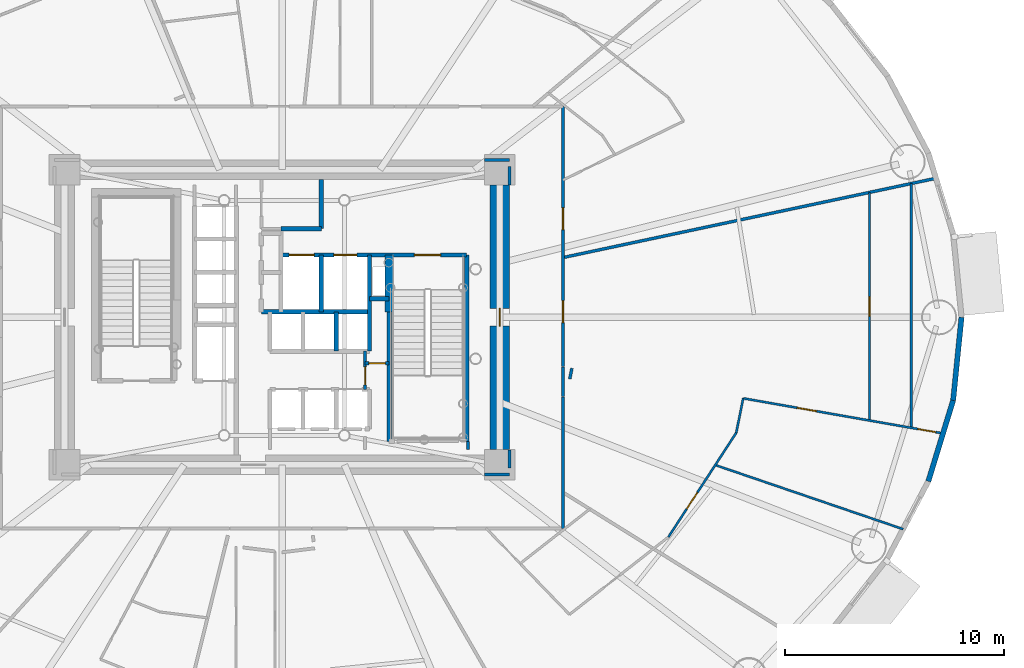
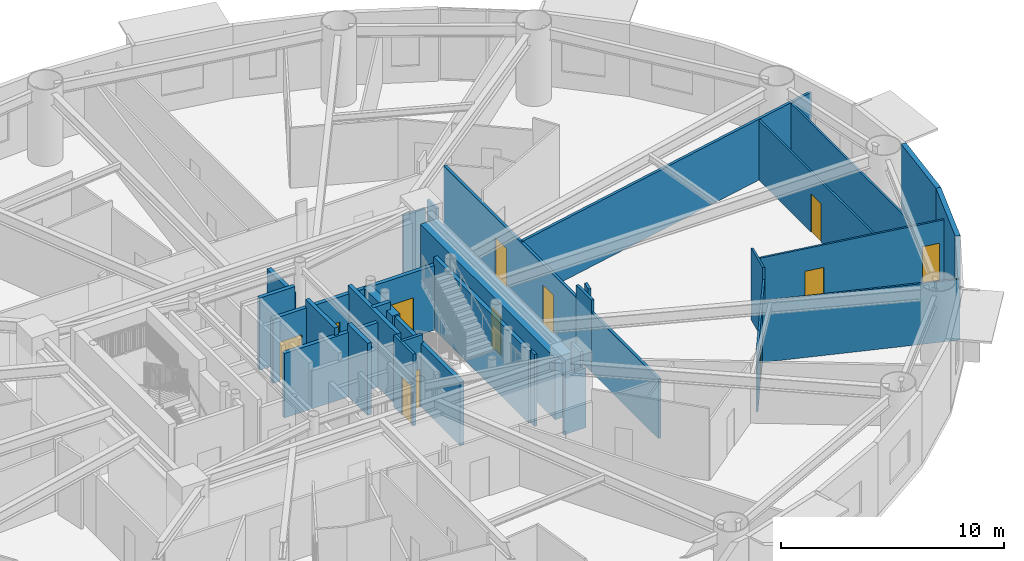
# One storey, part 10 of 20: 32 walls, 12 doors, 12 openings.
"""IFC4 building model written with IfcOpenShell, lengths in metres."""

from ifc_helpers import new_model, si_unit, direction, frame, frame_2d, origin, origin_2d, place, context, subcontext, project, spatial, rectangle, extrude, source, transform, mapped, material, layer, layer_set, type_object, element, fill, save


model = new_model("IFC4")

# Units and contexts
model_context = context("Model", 3, precision=1e-05, world=origin(), true_north=direction((0.0, 1.0)))
body_context = subcontext(model_context, "Body", "Model", "MODEL_VIEW")
ifc_project = project(units=[si_unit("LENGTHUNIT", "METRE"), si_unit("AREAUNIT", "SQUARE_METRE"), si_unit("VOLUMEUNIT", "CUBIC_METRE"), si_unit("PLANEANGLEUNIT", "RADIAN"), si_unit("MASSUNIT", "GRAM", prefix="KILO")], contexts=[model_context])

# Site, building, storey
site_placement = place(None, origin())
site = spatial("IfcSite", under=ifc_project, at=site_placement, CompositionType="ELEMENT")
building_placement = place(site_placement, origin())
building = spatial("IfcBuilding", under=site, at=building_placement, Name="Linh Dai School and Residence Tower", CompositionType="ELEMENT")
storey_placement = place(building_placement, frame((0.0, 0.0, 66.0)))
storey = spatial("IfcBuildingStorey", under=building, at=storey_placement, Name="L15", CompositionType="ELEMENT", Elevation=66.0)

# Walls
ifc_material_1 = material(Name="Precast Concrete B45 (C35/45)", Category="concrete")
ifc_layer_1 = layer(ifc_material_1, 0.239990234375)
ifc_layer_set_1 = layer_set([ifc_layer_1], Name="Precast Concrete B45 (C35/45)")
wall_type_1 = type_object("IfcWallType", Name="EW-TC-240", PredefinedType="SOLIDWALL", material=ifc_layer_set_1)
wall_1_placement = place(storey_placement, frame((66.693359375, 23.203125, 0.0), z_axis=(0.0, 0.0, 1.0), x_axis=(-0.293111631758, -0.956078224482, 0.0)))
element("IfcWall", 1, at=wall_1_placement, inside=storey, type_object=wall_type_1, Name="L15 Terracotta Exterior Wall 39", PredefinedType="SOLIDWALL", context=body_context, shape_type="SweptSolid", body=[
    extrude(rectangle(XDim=3.874755859375, YDim=0.239990234375, at=frame_2d((1.9375, 0.0))), origin(), (0.0, 0.0, 1.0), 3.949951171875),
])
wall_2_placement = place(storey_placement, frame((67.074951171875, 27.0, 0.0), z_axis=(0.0, 0.0, 1.0), x_axis=(-0.099997795174, -0.994987658698, 0.0)))
element("IfcWall", 2, at=wall_2_placement, inside=storey, type_object=wall_type_1, Name="L15 Terracotta Exterior Wall 40", PredefinedType="SOLIDWALL", context=body_context, shape_type="SweptSolid", body=[
    extrude(rectangle(XDim=3.81591796875, YDim=0.239990234375, at=frame_2d((1.907958984375, 0.0))), origin(), (0.0, 0.0, 1.0), 3.949951171875),
])

# Wall, opening, door
ifc_material_2 = material(Name="Autoclaved Aerated Concrete Blockwork", Category="masonry")
ifc_layer_2 = layer(ifc_material_2, 0.135009765625)
ifc_layer_set_2 = layer_set([ifc_layer_2], Name="Autoclaved Aerated Concrete Blockwork")
wall_type_2 = type_object("IfcWallType", Name="IW-CORR-135-EI90", PredefinedType="PARTITIONING", material=ifc_layer_set_2)
wall_3_placement = place(storey_placement, frame((39.800048828125, 23.699951171875, 0.0), z_axis=(0.0, 0.0, 1.0), x_axis=(0.0, 1.0, 0.0)))
wall_3 = element("IfcWall", 3, at=wall_3_placement, inside=storey, type_object=wall_type_2, Name="L15 Interior Partition Wall 072", PredefinedType="PARTITIONING", context=body_context, shape_type="SweptSolid", body=[
    extrude(rectangle(XDim=1.75, YDim=0.135009765625, at=frame_2d((0.875, 0.0))), origin(), (0.0, 0.0, 1.0), 3.949951171875),
])
opening_1_placement = place(wall_3_placement, frame((0.2099609375, 0.0, 0.0)))
opening_1 = element("IfcOpeningElement", 4, at=opening_1_placement, cuts=wall_3, Name="Opening D06", PredefinedType="OPENING", context=body_context, shape_type="SweptSolid", body=[
    extrude(rectangle(XDim=0.820068359375, YDim=2.10009765625, at=origin_2d()), frame((0.41015625, 0.07763671875, 1.050048828125), z_axis=(0.0, -1.0, 0.0), x_axis=(1.0, 0.0, 0.0)), (0.0, 0.0, 1.0), 0.155029296875),
])
ifc_material_3 = material(Name="Moisture-Resistant Timber Bathroom Door", Category="wood")
door_type_1 = type_object("IfcDoorType", Name="DR-WET-820x2100", OperationType="NOTDEFINED", PredefinedType="DOOR", material=ifc_material_3)
shared_shape_1 = source(origin(), body_context, "Body", "SweptSolid", [
    extrude(rectangle(XDim=0.820068359375, YDim=2.10009765625, at=origin_2d()), frame((0.41015625, 0.02490234375, 1.050048828125), z_axis=(0.0, -1.0, 0.0), x_axis=(1.0, 0.0, 0.0)), (0.0, 0.0, 1.0), 0.050048828125),
])
door_1_placement = place(opening_1_placement, origin())
door_1 = element("IfcDoor", 5, at=door_1_placement, inside=storey, type_object=door_type_1, Name="L15 SE Electrical Closet Door", OperationType="SINGLE_SWING_LEFT", OverallHeight=2.10009765625, OverallWidth=0.820068359375, PredefinedType="DOOR", context=body_context, shape_type="MappedRepresentation", body=[
    mapped(shared_shape_1, transform((0.0, 0.0, 0.0), x_axis=(1.0, 0.0, 0.0), y_axis=(0.0, 1.0, 0.0), z_axis=(0.0, 0.0, 1.0), scale=1.0)),
])
fill(opening_1, door_1)

# Wall
wall_4_placement = place(storey_placement, frame((48.85009765625, 17.35009765625, 0.0), z_axis=(0.0, 0.0, 1.0), x_axis=(0.0, 1.0, 0.0)))
element("IfcWall", 6, at=wall_4_placement, inside=storey, type_object=wall_type_2, Name="L15 Interior Partition Wall 092", PredefinedType="PARTITIONING", context=body_context, shape_type="SweptSolid", body=[
    extrude(rectangle(XDim=6.011474609375, YDim=0.135009765625, at=frame_2d((3.005859375, 0.0))), origin(), (0.0, 0.0, 1.0), 3.284912109375),
])

# Wall, openings, doors
wall_5_placement = place(storey_placement, frame((48.85009765625, 24.741943359375, 0.0), z_axis=(0.0, 0.0, 1.0), x_axis=(0.0, 1.0, 0.0)))
wall_5 = element("IfcWall", 7, at=wall_5_placement, inside=storey, type_object=wall_type_2, Name="L15 Interior Partition Wall 094", PredefinedType="PARTITIONING", context=body_context, shape_type="SweptSolid", body=[
    extrude(rectangle(XDim=11.907958984375, YDim=0.135009765625, at=frame_2d((5.9541015625, 0.0))), origin(), (0.0, 0.0, 1.0), 3.284912109375),
])
opening_2_placement = place(wall_5_placement, frame((6.261962890625, 0.0, 0.0)))
opening_2 = element("IfcOpeningElement", 8, at=opening_2_placement, cuts=wall_5, Name="Opening D03", PredefinedType="OPENING", context=body_context, shape_type="SweptSolid", body=[
    extrude(rectangle(XDim=1.0, YDim=2.14990234375, at=origin_2d()), frame((0.5, 0.07763671875, 1.074951171875), z_axis=(0.0, -1.0, 0.0), x_axis=(1.0, 0.0, 0.0)), (0.0, 0.0, 1.0), 0.155029296875),
])
opening_3_placement = place(wall_5_placement, frame((2.0146484375, 0.0, 0.0)))
opening_3 = element("IfcOpeningElement", 9, at=opening_3_placement, cuts=wall_5, Name="Opening D03", PredefinedType="OPENING", context=body_context, shape_type="SweptSolid", body=[
    extrude(rectangle(XDim=1.0, YDim=2.14990234375, at=origin_2d()), frame((0.5, 0.07763671875, 1.074951171875), z_axis=(0.0, -1.0, 0.0), x_axis=(1.0, 0.0, 0.0)), (0.0, 0.0, 1.0), 0.155029296875),
])
ifc_material_4 = material(Name="Fire-Rated Solid Timber Entrance Door", Category="wood")
door_type_2 = type_object("IfcDoorType", Name="DR-FLAT-1000x2150-FD60S", OperationType="NOTDEFINED", PredefinedType="DOOR", material=ifc_material_4)
shared_shape_2 = source(origin(), body_context, "Body", "SweptSolid", [
    extrude(rectangle(XDim=1.0, YDim=2.14990234375, at=origin_2d()), frame((0.5, 0.02490234375, 1.074951171875), z_axis=(0.0, -1.0, 0.0), x_axis=(1.0, 0.0, 0.0)), (0.0, 0.0, 1.0), 0.050048828125),
])
door_2_placement = place(opening_2_placement, origin())
door_2 = element("IfcDoor", 10, at=door_2_placement, inside=storey, type_object=door_type_2, Name="L15 U1501 Apartment Entrance Door", OperationType="SINGLE_SWING_LEFT", OverallHeight=2.14990234375, OverallWidth=1.0, PredefinedType="DOOR", context=body_context, shape_type="MappedRepresentation", body=[
    mapped(shared_shape_2, transform((0.0, 0.0, 0.0), x_axis=(1.0, 0.0, 0.0), y_axis=(0.0, 1.0, 0.0), z_axis=(0.0, 0.0, 1.0), scale=1.0)),
])
fill(opening_2, door_2)
door_3_placement = place(opening_3_placement, origin())
door_3 = element("IfcDoor", 11, at=door_3_placement, inside=storey, type_object=door_type_2, Name="L15 U1510 Apartment Entrance Door", OperationType="SINGLE_SWING_LEFT", OverallHeight=2.14990234375, OverallWidth=1.0, PredefinedType="DOOR", context=body_context, shape_type="MappedRepresentation", body=[
    mapped(shared_shape_2, transform((0.0, 0.0, 0.0), x_axis=(1.0, 0.0, 0.0), y_axis=(0.0, 1.0, 0.0), z_axis=(0.0, 0.0, 1.0), scale=1.0)),
])
fill(opening_3, door_3)

# Walls
wall_6_placement = place(storey_placement, frame((48.85009765625, 29.7314453125, 0.0), z_axis=(0.0, 0.0, 1.0), x_axis=(0.97814985104, 0.207901103679, 0.0)))
element("IfcWall", 12, at=wall_6_placement, inside=storey, type_object=wall_type_2, Name="L15 Interior Partition Wall 095", PredefinedType="PARTITIONING", context=body_context, shape_type="SweptSolid", body=[
    extrude(rectangle(XDim=17.4443359375, YDim=0.135009765625, at=frame_2d((8.72216796875, 0.0))), origin(), (0.0, 0.0, 1.0), 3.3349609375),
])
wall_7_placement = place(storey_placement, frame((44.5, 20.9599609375, 0.0), z_axis=(0.0, 0.0, 1.0), x_axis=(0.0, 1.0, 0.0)))
element("IfcWall", 13, at=wall_7_placement, inside=storey, type_object=wall_type_2, Name="L15 Interior Partition Wall 113", PredefinedType="PARTITIONING", context=body_context, shape_type="SweptSolid", body=[
    extrude(rectangle(XDim=0.360107421875, YDim=0.135009765625, at=frame_2d((0.18017578125, 0.0))), origin(), (0.0, 0.0, 1.0), 3.949951171875),
])
wall_8_placement = place(storey_placement, frame((48.85009765625, 24.73193359375, 0.0), z_axis=(0.0, 0.0, 1.0), x_axis=(0.0, -1.0, 0.0)))
element("IfcWall", 14, at=wall_8_placement, inside=storey, type_object=wall_type_2, Name="L15 Interior Partition Wall 118", PredefinedType="PARTITIONING", context=body_context, shape_type="SweptSolid", body=[
    extrude(rectangle(XDim=1.3603515625, YDim=0.135009765625, at=frame_2d((0.68017578125, 0.0))), origin(), (0.0, 0.0, 1.0), 3.949951171875),
])
for number, where, z_axis, x_axis, name in (
    (15, (46.39990234375, 34.199951171875, 0.0), (0.0, 0.0, 1.0), (-1.0, 0.0, 0.0), "L15 Interior Partition Wall 121"),
    (16, (45.260009765625, 19.800048828125, 0.0), (0.0, 0.0, 1.0), (1.0, 0.0, 0.0), "L15 Interior Partition Wall 126"),
):
    element("IfcWall", number, at=place(storey_placement, frame(where, z_axis=z_axis, x_axis=x_axis)), inside=storey, type_object=wall_type_2, Name=name, PredefinedType="PARTITIONING", context=body_context, shape_type="SweptSolid", body=[
        extrude(rectangle(XDim=1.139892578125, YDim=0.135009765625, at=frame_2d((0.56982421875, 0.0))), origin(), (0.0, 0.0, 1.0), 3.284912109375),
    ])
for number, where, z_axis, x_axis, name in (
    (17, (46.39990234375, 20.107421875, 0.0), (0.0, 0.0, 1.0), (0.0, 1.0, 0.0), "L15 Interior Partition Wall 127"),
    (18, (46.39990234375, 33.06005859375, 0.0), (0.0, 0.0, 1.0), (0.0, 1.0, 0.0), "L15 Interior Partition Wall 128"),
):
    element("IfcWall", number, at=place(storey_placement, frame(where, z_axis=z_axis, x_axis=x_axis)), inside=storey, type_object=wall_type_2, Name=name, PredefinedType="PARTITIONING", context=body_context, shape_type="SweptSolid", body=[
        extrude(rectangle(XDim=0.83251953125, YDim=0.135009765625, at=frame_2d((0.416259765625, 0.0))), origin(), (0.0, 0.0, 1.0), 3.949951171875),
    ])
wall_9_placement = place(storey_placement, frame((49.157470703125, 24.1796875, 0.0), z_axis=(0.0, 0.0, 1.0), x_axis=(0.198365081381, 0.980128203088, 0.0)))
element("IfcWall", 19, at=wall_9_placement, inside=storey, type_object=wall_type_2, Name="L15 Interior Partition Wall 137", PredefinedType="PARTITIONING", context=body_context, shape_type="SweptSolid", body=[
    extrude(rectangle(XDim=0.5009765625, YDim=0.135009765625, at=frame_2d((0.25048828125, 0.0))), origin(), (0.0, 0.0, 1.0), 3.949951171875),
])

# Wall, opening, door
ifc_layer_3 = layer(ifc_material_2, 0.14990234375)
ifc_layer_set_3 = layer_set([ifc_layer_3], Name="Autoclaved Aerated Concrete Blockwork")
wall_type_3 = type_object("IfcWallType", Name="IW-SCH-150-EI60", PredefinedType="PARTITIONING", material=ifc_layer_set_3)
wall_10_placement = place(storey_placement, frame((39.800048828125, 24.89990234375, 0.0), z_axis=(0.0, 0.0, 1.0), x_axis=(1.0, 0.0, 0.0)))
wall_10 = element("IfcWall", 20, at=wall_10_placement, inside=storey, type_object=wall_type_3, Name="L15 Interior Partition Wall 073", PredefinedType="PARTITIONING", context=body_context, shape_type="SweptSolid", body=[
    extrude(rectangle(XDim=1.099853515625, YDim=0.14990234375, at=frame_2d((0.5498046875, 0.0))), origin(), (0.0, 0.0, 1.0), 3.949951171875),
])
opening_4_placement = place(wall_10_placement, frame((0.169921875, 0.0, 0.0)))
opening_4 = element("IfcOpeningElement", 21, at=opening_4_placement, cuts=wall_10, Name="Opening D08", PredefinedType="OPENING", context=body_context, shape_type="SweptSolid", body=[
    extrude(rectangle(XDim=0.760009765625, YDim=2.10009765625, at=origin_2d()), frame((0.3798828125, 0.0849609375, 1.050048828125), z_axis=(0.0, -1.0, 0.0), x_axis=(1.0, 0.0, 0.0)), (0.0, 0.0, 1.0), 0.169921875),
])
ifc_material_5 = material(Name="Engineered Timber Closet and Study Door", Category="wood")
door_type_3 = type_object("IfcDoorType", Name="DR-CMP-760x2100", OperationType="NOTDEFINED", PredefinedType="DOOR", material=ifc_material_5)
shared_shape_3 = source(origin(), body_context, "Body", "SweptSolid", [
    extrude(rectangle(XDim=0.760009765625, YDim=2.10009765625, at=origin_2d()), frame((0.3798828125, 0.02490234375, 1.050048828125), z_axis=(0.0, -1.0, 0.0), x_axis=(1.0, 0.0, 0.0)), (0.0, 0.0, 1.0), 0.050048828125),
])
door_4_placement = place(opening_4_placement, origin())
door_4 = element("IfcDoor", 22, at=door_4_placement, inside=storey, type_object=door_type_3, Name="L15 NE Equipment Store Door", OperationType="SINGLE_SWING_RIGHT", OverallHeight=2.10009765625, OverallWidth=0.760009765625, PredefinedType="DOOR", context=body_context, shape_type="MappedRepresentation", body=[
    mapped(shared_shape_3, transform((0.0, 0.0, 0.0), x_axis=(1.0, 0.0, 0.0), y_axis=(0.0, 1.0, 0.0), z_axis=(0.0, 0.0, 1.0), scale=1.0)),
])
fill(opening_4, door_4)

# Wall
ifc_material_6 = material(Name="Concrete B45 (C35/45)", Category="concrete")
ifc_layer_4 = layer(ifc_material_6, 0.199951171875)
ifc_layer_set_4 = layer_set([ifc_layer_4], Name="Concrete B45 (C35/45)")
wall_type_4 = type_object("IfcWallType", Name="IW-SHAFT-200-EI120", PredefinedType="PARTITIONING", material=ifc_layer_set_4)
wall_11_placement = place(storey_placement, frame((35.050048828125, 27.25, 0.0), z_axis=(0.0, 0.0, 1.0), x_axis=(1.0, 0.0, 0.0)))
element("IfcWall", 23, at=wall_11_placement, inside=storey, type_object=wall_type_4, Name="L15 Interior Partition Wall 047", PredefinedType="PARTITIONING", context=body_context, shape_type="SweptSolid", body=[
    extrude(rectangle(XDim=4.949951171875, YDim=0.199951171875, at=frame_2d((2.47509765625, 0.0))), origin(), (0.0, 0.0, 1.0), 3.534912109375),
])

# Wall, openings, doors
wall_12_placement = place(storey_placement, frame((35.949951171875, 29.85009765625, 0.0), z_axis=(0.0, 0.0, 1.0), x_axis=(1.0, 0.0, 0.0)))
wall_12 = element("IfcWall", 24, at=wall_12_placement, inside=storey, type_object=wall_type_4, Name="L15 Interior Partition Wall 058", PredefinedType="PARTITIONING", context=body_context, shape_type="SweptSolid", body=[
    extrude(rectangle(XDim=8.489990234375, YDim=0.199951171875, at=frame_2d((4.2451171875, 0.0))), origin(), (0.0, 0.0, 1.0), 3.534912109375),
])
opening_5_placement = place(wall_12_placement, frame((6.10009765625, 0.0, 0.0)))
opening_5 = element("IfcOpeningElement", 25, at=opening_5_placement, cuts=wall_12, Name="Opening D01", PredefinedType="OPENING", context=body_context, shape_type="SweptSolid", body=[
    extrude(rectangle(XDim=1.199951171875, YDim=2.14990234375, at=origin_2d()), frame((0.60009765625, 0.10986328125, 1.074951171875), z_axis=(0.0, -1.0, 0.0), x_axis=(1.0, 0.0, 0.0)), (0.0, 0.0, 1.0), 0.219970703125),
])
opening_6_placement = place(wall_12_placement, frame((0.3701171875, 0.0, 0.0)))
opening_6 = element("IfcOpeningElement", 26, at=opening_6_placement, cuts=wall_12, Name="Opening LD-FF1", PredefinedType="OPENING", context=body_context, shape_type="SweptSolid", body=[
    extrude(rectangle(XDim=1.14990234375, YDim=2.14990234375, at=origin_2d()), frame((0.574951171875, 0.10986328125, 1.074951171875), z_axis=(0.0, -1.0, 0.0), x_axis=(1.0, 0.0, 0.0)), (0.0, 0.0, 1.0), 0.219970703125),
])
opening_7_placement = place(wall_12_placement, frame((2.425048828125, 0.0, 0.0)))
opening_7 = element("IfcOpeningElement", 27, at=opening_7_placement, cuts=wall_12, Name="Opening LD-SV1", PredefinedType="OPENING", context=body_context, shape_type="SweptSolid", body=[
    extrude(rectangle(XDim=1.050048828125, YDim=2.14990234375, at=origin_2d()), frame((0.52490234375, 0.10986328125, 1.074951171875), z_axis=(0.0, -1.0, 0.0), x_axis=(1.0, 0.0, 0.0)), (0.0, 0.0, 1.0), 0.219970703125),
])
ifc_material_7 = material(Name="Fire-Rated Steel Door Leaf", Category="steel")
door_type_4 = type_object("IfcDoorType", Name="DR-STAIR-1200x2150-FD90S", OperationType="NOTDEFINED", PredefinedType="DOOR", material=ifc_material_7)
shared_shape_4 = source(origin(), body_context, "Body", "SweptSolid", [
    extrude(rectangle(XDim=1.199951171875, YDim=2.14990234375, at=origin_2d()), frame((0.60009765625, 0.02490234375, 1.074951171875), z_axis=(0.0, -1.0, 0.0), x_axis=(1.0, 0.0, 0.0)), (0.0, 0.0, 1.0), 0.050048828125),
])
door_5_placement = place(opening_5_placement, origin())
door_5 = element("IfcDoor", 28, at=door_5_placement, inside=storey, type_object=door_type_4, Name="L15 Core Smokeproof Exit Stair ST2 Door", OperationType="SINGLE_SWING_RIGHT", OverallHeight=2.14990234375, OverallWidth=1.199951171875, PredefinedType="DOOR", context=body_context, shape_type="MappedRepresentation", body=[
    mapped(shared_shape_4, transform((0.0, 0.0, 0.0), x_axis=(1.0, 0.0, 0.0), y_axis=(0.0, 1.0, 0.0), z_axis=(0.0, 0.0, 1.0), scale=1.0)),
])
fill(opening_5, door_5)
ifc_material_8 = material(Name="Fire-Rated Stainless Steel Firefighting Lift Door", Category="steel")
door_type_5 = type_object("IfcDoorType", Name="DR-LD-FF-1150x2150-FD120", OperationType="DOUBLE_DOOR_SLIDING", PredefinedType="USERDEFINED", material=ifc_material_8)
shared_shape_5 = source(origin(), body_context, "Body", "SweptSolid", [
    extrude(rectangle(XDim=1.14990234375, YDim=2.14990234375, at=origin_2d()), frame((0.574951171875, 0.02490234375, 1.074951171875), z_axis=(0.0, -1.0, 0.0), x_axis=(1.0, 0.0, 0.0)), (0.0, 0.0, 1.0), 0.050048828125),
])
door_6_placement = place(opening_6_placement, origin())
door_6 = element("IfcDoor", 29, at=door_6_placement, inside=storey, type_object=door_type_5, Name="L15 Lift FF1 Sliding Landing Door", ObjectType="LANDING DOOR", OperationType="DOUBLE_DOOR_SLIDING", OverallHeight=2.14990234375, OverallWidth=1.14990234375, PredefinedType="USERDEFINED", context=body_context, shape_type="MappedRepresentation", body=[
    mapped(shared_shape_5, transform((0.0, 0.0, 0.0), x_axis=(1.0, 0.0, 0.0), y_axis=(0.0, 1.0, 0.0), z_axis=(0.0, 0.0, 1.0), scale=1.0)),
])
fill(opening_6, door_6)
ifc_material_9 = material(Name="Brushed Stainless Steel Lift Landing Door", Category="steel")
door_type_6 = type_object("IfcDoorType", Name="DR-LD-PASS-1050x2150", OperationType="DOUBLE_DOOR_SLIDING", PredefinedType="USERDEFINED", material=ifc_material_9)
shared_shape_6 = source(origin(), body_context, "Body", "SweptSolid", [
    extrude(rectangle(XDim=1.050048828125, YDim=2.14990234375, at=origin_2d()), frame((0.52490234375, 0.02490234375, 1.074951171875), z_axis=(0.0, -1.0, 0.0), x_axis=(1.0, 0.0, 0.0)), (0.0, 0.0, 1.0), 0.050048828125),
])
door_7_placement = place(opening_7_placement, origin())
door_7 = element("IfcDoor", 30, at=door_7_placement, inside=storey, type_object=door_type_6, Name="L15 Lift SV1 Sliding Landing Door", ObjectType="LANDING DOOR", OperationType="DOUBLE_DOOR_SLIDING", OverallHeight=2.14990234375, OverallWidth=1.050048828125, PredefinedType="USERDEFINED", context=body_context, shape_type="MappedRepresentation", body=[
    mapped(shared_shape_6, transform((0.0, 0.0, 0.0), x_axis=(1.0, 0.0, 0.0), y_axis=(0.0, 1.0, 0.0), z_axis=(0.0, 0.0, 1.0), scale=1.0)),
])
fill(opening_7, door_7)

# Walls
wall_13_placement = place(storey_placement, frame((35.9599609375, 31.050048828125, 0.0), z_axis=(0.0, 0.0, 1.0), x_axis=(1.0, 0.0, 0.0)))
element("IfcWall", 31, at=wall_13_placement, inside=storey, type_object=wall_type_4, Name="L15 Interior Partition Wall 059", PredefinedType="PARTITIONING", context=body_context, shape_type="SweptSolid", body=[
    extrude(rectangle(XDim=1.840087890625, YDim=0.199951171875, at=frame_2d((0.919921875, 0.0))), origin(), (0.0, 0.0, 1.0), 3.949951171875),
])
wall_14_placement = place(storey_placement, frame((37.800048828125, 27.25, 0.0), z_axis=(0.0, 0.0, 1.0), x_axis=(0.0, 1.0, 0.0)))
element("IfcWall", 32, at=wall_14_placement, inside=storey, type_object=wall_type_4, Name="L15 Interior Partition Wall 065", PredefinedType="PARTITIONING", context=body_context, shape_type="SweptSolid", body=[
    extrude(rectangle(XDim=2.60009765625, YDim=0.199951171875, at=frame_2d((1.300048828125, 0.0))), origin(), (0.0, 0.0, 1.0), 3.949951171875),
])
wall_15_placement = place(storey_placement, frame((37.800048828125, 31.050048828125, 0.0), z_axis=(0.0, 0.0, 1.0), x_axis=(0.0, 1.0, 0.0)))
element("IfcWall", 33, at=wall_15_placement, inside=storey, type_object=wall_type_4, Name="L15 Interior Partition Wall 066", PredefinedType="PARTITIONING", context=body_context, shape_type="SweptSolid", body=[
    extrude(rectangle(XDim=2.25, YDim=0.199951171875, at=frame_2d((1.125, 0.0))), origin(), (0.0, 0.0, 1.0), 3.534912109375),
])
wall_16_placement = place(storey_placement, frame((38.47998046875, 25.449951171875, 0.0), z_axis=(0.0, 0.0, 1.0), x_axis=(0.0, 1.0, 0.0)))
element("IfcWall", 34, at=wall_16_placement, inside=storey, type_object=wall_type_4, Name="L15 Interior Partition Wall 069", PredefinedType="PARTITIONING", context=body_context, shape_type="SweptSolid", body=[
    extrude(rectangle(XDim=1.800048828125, YDim=0.199951171875, at=frame_2d((0.89990234375, 0.0))), origin(), (0.0, 0.0, 1.0), 3.949951171875),
])
wall_17_placement = place(storey_placement, frame((40.0, 25.449951171875, 0.0), z_axis=(0.0, 0.0, 1.0), x_axis=(0.0, 1.0, 0.0)))
element("IfcWall", 35, at=wall_17_placement, inside=storey, type_object=wall_type_4, Name="L15 Interior Partition Wall 075", PredefinedType="PARTITIONING", context=body_context, shape_type="SweptSolid", body=[
    extrude(rectangle(XDim=4.400146484375, YDim=0.199951171875, at=frame_2d((2.2001953125, 0.0))), origin(), (0.0, 0.0, 1.0), 3.949951171875),
])
wall_18_placement = place(storey_placement, frame((40.0, 27.85009765625, 0.0), z_axis=(0.0, 0.0, 1.0), x_axis=(1.0, 0.0, 0.0)))
element("IfcWall", 36, at=wall_18_placement, inside=storey, type_object=wall_type_4, Name="L15 Interior Partition Wall 076", PredefinedType="PARTITIONING", context=body_context, shape_type="SweptSolid", body=[
    extrude(rectangle(XDim=0.89990234375, YDim=0.199951171875, at=frame_2d((0.449951171875, 0.0))), origin(), (0.0, 0.0, 1.0), 3.949951171875),
])
wall_19_placement = place(storey_placement, frame((40.89990234375, 21.330078125, 0.0), z_axis=(0.0, 0.0, 1.0), x_axis=(0.0, 1.0, 0.0)))
element("IfcWall", 37, at=wall_19_placement, inside=storey, type_object=wall_type_4, Name="L15 Interior Partition Wall 078", PredefinedType="PARTITIONING", context=body_context, shape_type="SweptSolid", body=[
    extrude(rectangle(XDim=5.909912109375, YDim=0.199951171875, at=frame_2d((2.955078125, 0.0))), origin(), (0.0, 0.0, 1.0), 3.485107421875),
])
wall_20_placement = place(storey_placement, frame((44.43994140625, 21.330078125, 0.0), z_axis=(0.0, 0.0, 1.0), x_axis=(0.0, 1.0, 0.0)))
element("IfcWall", 38, at=wall_20_placement, inside=storey, type_object=wall_type_4, Name="L15 Interior Partition Wall 084", PredefinedType="PARTITIONING", context=body_context, shape_type="SweptSolid", body=[
    extrude(rectangle(XDim=8.52001953125, YDim=0.199951171875, at=frame_2d((4.260009765625, 0.0))), origin(), (0.0, 0.0, 1.0), 3.949951171875),
])

# Wall, opening, door
ifc_material_10 = material(Name="Gypsum Plasterboard Acoustic Stud Partition", Category="masonry")
ifc_layer_5 = layer(ifc_material_10, 0.10009765625)
ifc_layer_set_5 = layer_set([ifc_layer_5], Name="Gypsum Plasterboard Acoustic Stud Partition")
wall_type_5 = type_object("IfcWallType", Name="IW-UNIT-100", PredefinedType="PARTITIONING", material=ifc_layer_set_5)
wall_21_placement = place(storey_placement, frame((53.6689453125, 16.9482421875, 0.0), z_axis=(0.0, 0.0, 1.0), x_axis=(0.545413765252, 0.8381669432, 0.0)))
wall_21 = element("IfcWall", 39, at=wall_21_placement, inside=storey, type_object=wall_type_5, Name="L15 Interior Partition Wall 099", PredefinedType="PARTITIONING", context=body_context, shape_type="SweptSolid", body=[
    extrude(rectangle(XDim=5.6875, YDim=0.10009765625, at=frame_2d((2.84375, 0.0))), origin(), (0.0, 0.0, 1.0), 3.284912109375),
])
opening_8_placement = place(wall_21_placement, frame((1.534912109375, 0.0, 0.0)))
opening_8 = element("IfcOpeningElement", 40, at=opening_8_placement, cuts=wall_21, Name="Opening D05", PredefinedType="OPENING", context=body_context, shape_type="SweptSolid", body=[
    extrude(rectangle(XDim=0.89990234375, YDim=2.10009765625, at=origin_2d()), frame((0.449951171875, 0.06005859375, 1.050048828125), z_axis=(0.0, -1.0, 0.0), x_axis=(1.0, 0.0, 0.0)), (0.0, 0.0, 1.0), 0.1201171875),
])
ifc_material_11 = material(Name="Engineered Timber Internal Door", Category="wood")
door_type_7 = type_object("IfcDoorType", Name="DR-INT-900x2100", OperationType="NOTDEFINED", PredefinedType="DOOR", material=ifc_material_11)
shared_shape_7 = source(origin(), body_context, "Body", "SweptSolid", [
    extrude(rectangle(XDim=0.89990234375, YDim=2.10009765625, at=origin_2d()), frame((0.449951171875, 0.02490234375, 1.050048828125), z_axis=(0.0, -1.0, 0.0), x_axis=(1.0, 0.0, 0.0)), (0.0, 0.0, 1.0), 0.050048828125),
])
door_8_placement = place(opening_8_placement, origin())
door_8 = element("IfcDoor", 41, at=door_8_placement, inside=storey, type_object=door_type_7, Name="L15 Apartment U1510 Principal Bedroom 1 Door", OperationType="SINGLE_SWING_RIGHT", OverallHeight=2.10009765625, OverallWidth=0.89990234375, PredefinedType="DOOR", context=body_context, shape_type="MappedRepresentation", body=[
    mapped(shared_shape_7, transform((0.0, 0.0, 0.0), x_axis=(1.0, 0.0, 0.0), y_axis=(0.0, 1.0, 0.0), z_axis=(0.0, 0.0, 1.0), scale=1.0)),
])
fill(opening_8, door_8)

# Walls
wall_22_placement = place(storey_placement, frame((55.812255859375, 20.2421875, 0.0), z_axis=(0.0, 0.0, 1.0), x_axis=(0.946449887069, -0.322850756955, 0.0)))
element("IfcWall", 42, at=wall_22_placement, inside=storey, type_object=wall_type_5, Name="L15 Interior Partition Wall 101", PredefinedType="PARTITIONING", context=body_context, shape_type="SweptSolid", body=[
    extrude(rectangle(XDim=9.079833984375, YDim=0.10009765625, at=frame_2d((4.5400390625, 0.0))), origin(), (0.0, 0.0, 1.0), 3.3349609375),
])
wall_23_placement = place(storey_placement, frame((56.77099609375, 21.715576171875, 0.0), z_axis=(0.0, 0.0, 1.0), x_axis=(0.198302290641, 0.980140909016, 0.0)))
element("IfcWall", 43, at=wall_23_placement, inside=storey, type_object=wall_type_5, Name="L15 Interior Partition Wall 102", PredefinedType="PARTITIONING", context=body_context, shape_type="SweptSolid", body=[
    extrude(rectangle(XDim=1.6103515625, YDim=0.10009765625, at=frame_2d((0.80517578125, 0.0))), origin(), (0.0, 0.0, 1.0), 3.949951171875),
])

# Wall, openings, doors
wall_24_placement = place(storey_placement, frame((57.09033203125, 23.2939453125, 0.0), z_axis=(0.0, 0.0, 1.0), x_axis=(0.984913803966, -0.173045655125, 0.0)))
wall_24 = element("IfcWall", 44, at=wall_24_placement, inside=storey, type_object=wall_type_5, Name="L15 Interior Partition Wall 103", PredefinedType="PARTITIONING", context=body_context, shape_type="SweptSolid", body=[
    extrude(rectangle(XDim=9.283447265625, YDim=0.10009765625, at=frame_2d((4.6416015625, 0.0))), origin(), (0.0, 0.0, 1.0), 3.3349609375),
])
opening_9_placement = place(wall_24_placement, frame((2.50244140625, 0.0, 0.0)))
opening_9 = element("IfcOpeningElement", 45, at=opening_9_placement, cuts=wall_24, Name="Opening D05", PredefinedType="OPENING", context=body_context, shape_type="SweptSolid", body=[
    extrude(rectangle(XDim=0.89990234375, YDim=2.10009765625, at=origin_2d()), frame((0.449951171875, 0.06005859375, 1.050048828125), z_axis=(0.0, -1.0, 0.0), x_axis=(1.0, 0.0, 0.0)), (0.0, 0.0, 1.0), 0.1201171875),
])
opening_10_placement = place(wall_24_placement, frame((8.114501953125, 0.0, 0.0)))
opening_10 = element("IfcOpeningElement", 46, at=opening_10_placement, cuts=wall_24, Name="Opening D06", PredefinedType="OPENING", context=body_context, shape_type="SweptSolid", body=[
    extrude(rectangle(XDim=0.820068359375, YDim=2.10009765625, at=origin_2d()), frame((0.41015625, 0.06005859375, 1.050048828125), z_axis=(0.0, -1.0, 0.0), x_axis=(1.0, 0.0, 0.0)), (0.0, 0.0, 1.0), 0.1201171875),
])
door_9_placement = place(opening_10_placement, origin())
door_9 = element("IfcDoor", 47, at=door_9_placement, inside=storey, type_object=door_type_1, Name="L15 Apartment U1510 Bathroom 1 Door", OperationType="SINGLE_SWING_RIGHT", OverallHeight=2.10009765625, OverallWidth=0.820068359375, PredefinedType="DOOR", context=body_context, shape_type="MappedRepresentation", body=[
    mapped(shared_shape_1, transform((0.0, 0.0, 0.0), x_axis=(1.0, 0.0, 0.0), y_axis=(0.0, 1.0, 0.0), z_axis=(0.0, 0.0, 1.0), scale=1.0)),
])
fill(opening_10, door_9)
door_10_placement = place(opening_9_placement, origin())
door_10 = element("IfcDoor", 48, at=door_10_placement, inside=storey, type_object=door_type_7, Name="L15 Apartment U1510 Study Door", OperationType="SINGLE_SWING_LEFT", OverallHeight=2.10009765625, OverallWidth=0.89990234375, PredefinedType="DOOR", context=body_context, shape_type="MappedRepresentation", body=[
    mapped(shared_shape_7, transform((0.0, 0.0, 0.0), x_axis=(1.0, 0.0, 0.0), y_axis=(0.0, 1.0, 0.0), z_axis=(0.0, 0.0, 1.0), scale=1.0)),
])
fill(opening_9, door_10)

# Wall, opening, door
wall_25_placement = place(storey_placement, frame((62.86669921875, 22.279052734375, 0.0), z_axis=(0.0, 0.0, 1.0), x_axis=(0.0, 1.0, 0.0)))
wall_25 = element("IfcWall", 49, at=wall_25_placement, inside=storey, type_object=wall_type_5, Name="L15 Interior Partition Wall 104", PredefinedType="PARTITIONING", context=body_context, shape_type="SweptSolid", body=[
    extrude(rectangle(XDim=10.431640625, YDim=0.10009765625, at=frame_2d((5.2158203125, 0.0))), origin(), (0.0, 0.0, 1.0), 3.284912109375),
])
opening_11_placement = place(wall_25_placement, frame((4.765869140625, 0.0, 0.0)))
opening_11 = element("IfcOpeningElement", 50, at=opening_11_placement, cuts=wall_25, Name="Opening D05", PredefinedType="OPENING", context=body_context, shape_type="SweptSolid", body=[
    extrude(rectangle(XDim=0.89990234375, YDim=2.10009765625, at=origin_2d()), frame((0.449951171875, 0.06005859375, 1.050048828125), z_axis=(0.0, -1.0, 0.0), x_axis=(1.0, 0.0, 0.0)), (0.0, 0.0, 1.0), 0.1201171875),
])
door_11_placement = place(opening_11_placement, origin())
door_11 = element("IfcDoor", 51, at=door_11_placement, inside=storey, type_object=door_type_7, Name="L15 Apartment U1510 Kitchen Door", OperationType="SINGLE_SWING_LEFT", OverallHeight=2.10009765625, OverallWidth=0.89990234375, PredefinedType="DOOR", context=body_context, shape_type="MappedRepresentation", body=[
    mapped(shared_shape_7, transform((0.0, 0.0, 0.0), x_axis=(1.0, 0.0, 0.0), y_axis=(0.0, 1.0, 0.0), z_axis=(0.0, 0.0, 1.0), scale=1.0)),
])
fill(opening_11, door_11)

# Walls
wall_26_placement = place(storey_placement, frame((64.778076171875, 21.943115234375, 0.0), z_axis=(0.0, 0.0, 1.0), x_axis=(0.0, 1.0, 0.0)))
element("IfcWall", 52, at=wall_26_placement, inside=storey, type_object=wall_type_5, Name="L15 Interior Partition Wall 105", PredefinedType="PARTITIONING", context=body_context, shape_type="SweptSolid", body=[
    extrude(rectangle(XDim=11.173828125, YDim=0.10009765625, at=frame_2d((5.5869140625, 0.0))), origin(), (0.0, 0.0, 1.0), 3.284912109375),
])
ifc_layer_6 = layer(ifc_material_6, 0.39990234375)
ifc_layer_set_6 = layer_set([ifc_layer_6], Name="Concrete B45 (C35/45)")
wall_type_6 = type_object("IfcWallType", Name="WL-CORE400", PredefinedType="SHEAR", material=ifc_layer_set_6)
wall_27_placement = place(storey_placement, frame((40.89990234375, 27.25, 0.0), z_axis=(0.0, 0.0, 1.0), x_axis=(0.0, 1.0, 0.0)))
element("IfcWall", 53, at=wall_27_placement, inside=storey, type_object=wall_type_6, Name="L15 Internal Core Shear Wall IE", PredefinedType="SHEAR", context=body_context, shape_type="SweptSolid", body=[
    extrude(rectangle(XDim=2.60009765625, YDim=0.39990234375, at=frame_2d((1.300048828125, 0.0))), origin(), (0.0, 0.0, 1.0), 3.550048828125),
])

# Wall, opening, door
ifc_material_12 = material(Name="Concrete B60 (C50/60)", Category="concrete")
ifc_layer_7 = layer(ifc_material_12, 0.89990234375)
ifc_layer_set_7 = layer_set([ifc_layer_7], Name="Concrete B60 (C50/60)")
wall_type_7 = type_object("IfcWallType", Name="WL-CORE900", PredefinedType="SHEAR", material=ifc_layer_set_7)
wall_28_placement = place(storey_placement, frame((45.949951171875, 33.050048828125, 0.0), z_axis=(0.0, 0.0, 1.0), x_axis=(0.0, -1.0, 0.0)))
wall_28 = element("IfcWall", 54, at=wall_28_placement, inside=storey, type_object=wall_type_7, Name="L15 Central Core Shear Wall E", PredefinedType="SHEAR", context=body_context, shape_type="SweptSolid", body=[
    extrude(rectangle(XDim=12.10009765625, YDim=0.89990234375, at=frame_2d((6.050048828125, 0.0))), origin(), (0.0, 0.0, 1.0), 3.39990234375),
])
opening_12_placement = place(wall_28_placement, frame((5.639892578125, 0.0, 0.0)))
opening_12 = element("IfcOpeningElement", 55, at=opening_12_placement, cuts=wall_28, Name="Opening D06", PredefinedType="OPENING", context=body_context, shape_type="SweptSolid", body=[
    extrude(rectangle(XDim=0.820068359375, YDim=2.10009765625, at=origin_2d()), frame((0.41015625, 0.4599609375, 1.050048828125), z_axis=(0.0, -1.0, 0.0), x_axis=(1.0, 0.0, 0.0)), (0.0, 0.0, 1.0), 0.919921875),
])
door_12_placement = place(opening_12_placement, origin())
door_12 = element("IfcDoor", 56, at=door_12_placement, inside=storey, type_object=door_type_1, Name="L15 Firefighting Lobby Door", OperationType="SINGLE_SWING_LEFT", OverallHeight=2.10009765625, OverallWidth=0.820068359375, PredefinedType="DOOR", context=body_context, shape_type="MappedRepresentation", body=[
    mapped(shared_shape_1, transform((0.0, 0.0, 0.0), x_axis=(1.0, 0.0, 0.0), y_axis=(0.0, 1.0, 0.0), z_axis=(0.0, 0.0, 1.0), scale=1.0)),
])
fill(opening_12, door_12)

save(model, "model.ifc")
